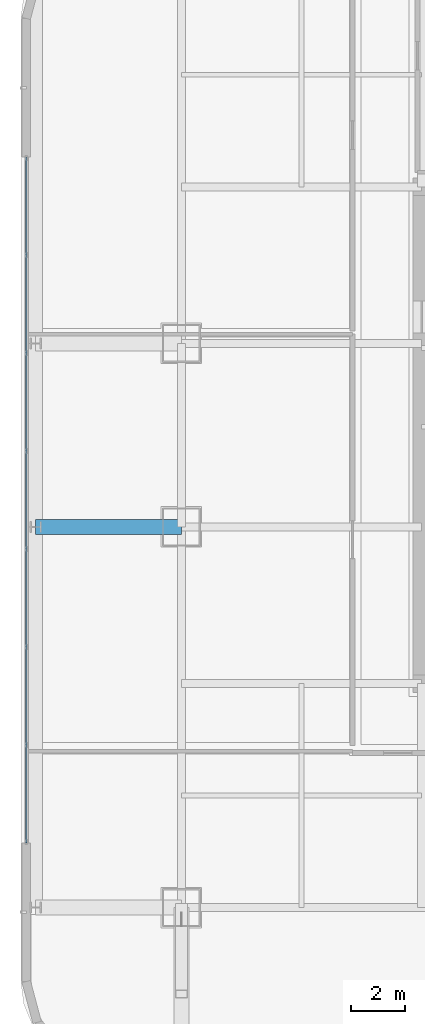
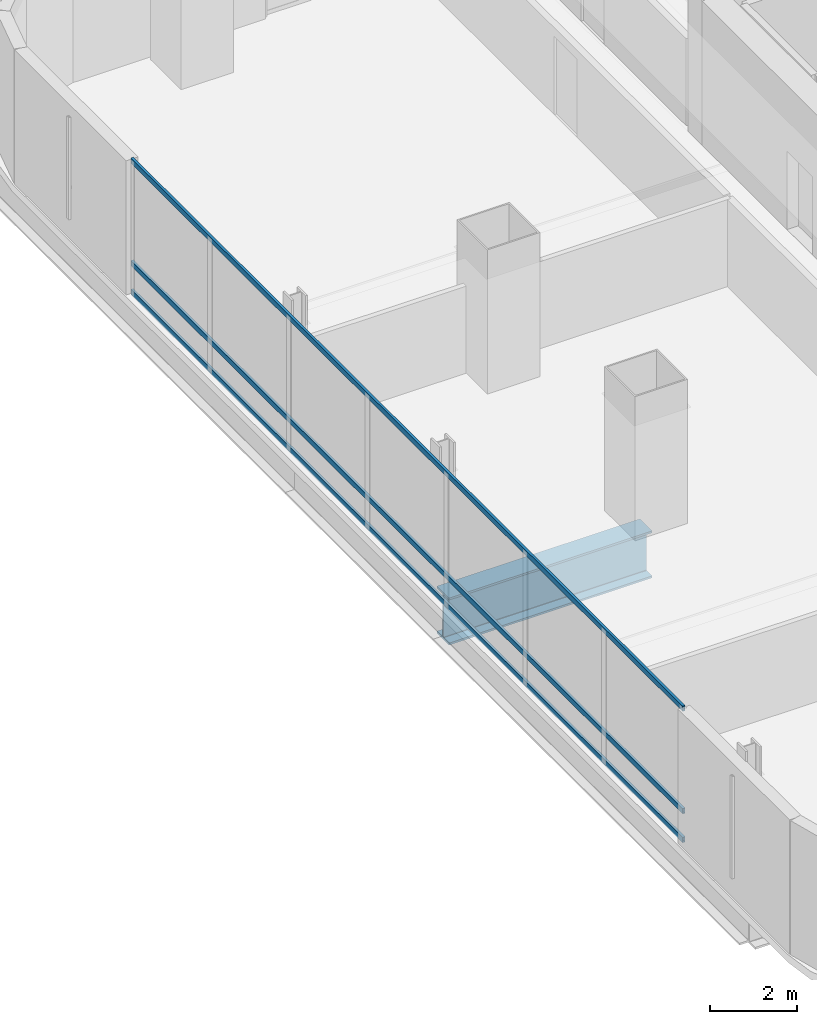
# One storey, part 9 of 46: 3 members, 1 beam, 1 element without a shape of its own.
"""IFC4 building model written with IfcOpenShell, lengths in metres."""

import ifcopenshell
import ifcopenshell.guid

model = None  # the IFC model being written
_history = None  # IfcOwnerHistory: only IFC2X3 demands one
_inside = {}  # id of a spatial element -> (the spatial element, [elements in it])
_under = {}  # id of a project, library or spatial element -> (it, [spatial elements below it])
_declared = {}  # id of a project -> (the project, [libraries it declares])
_typed = {}  # id of a type object -> (the type object, [elements of that type])
_made_of = {}  # id of a material, layer set ... -> (it, [elements and type objects made of it])


def new_model(schema):
    """Start an empty IFC model of exactly this schema.

    Asked for "IFC4X3", IfcOpenShell would pick the latest addendum, in which some entities
    have other attributes; the version numbers below select the first issue.
    IFC2X3 requires an IfcOwnerHistory on every rooted entity: one is made here for all.
    """
    global model, _history
    if schema == "IFC4X3":
        model = ifcopenshell.file(schema_version=(4, 3, 0, 0))
    else:
        model = ifcopenshell.file(schema=schema)
    _inside.clear()
    _under.clear()
    _declared.clear()
    _typed.clear()
    _made_of.clear()
    _history = None
    if model.schema == "IFC2X3":
        org = make("IfcOrganization", Name="unknown")
        user = make(
            "IfcPersonAndOrganization",
            ThePerson=make("IfcPerson", FamilyName="unknown"),
            TheOrganization=org,
        )
        app = make(
            "IfcApplication",
            ApplicationDeveloper=org,
            Version="unknown",
            ApplicationFullName="unknown",
            ApplicationIdentifier="unknown",
        )
        _history = make(
            "IfcOwnerHistory",
            OwningUser=user,
            OwningApplication=app,
            ChangeAction="ADDED",
            CreationDate=0,
        )
    return model


def make(cls, **values):
    """One entity of the class cls with the attributes given. An attribute that is None is left unset."""
    return model.create_entity(
        cls, **{name: value for name, value in values.items() if value is not None}
    )


def rooted(cls, **values):
    """An entity with a GlobalId (a new one), such as an element, a storey or a relation."""
    return make(cls, GlobalId=ifcopenshell.guid.new(), OwnerHistory=_history, **values)


def si_unit(unit_type, name, prefix=None):
    """IfcSIUnit, for example si_unit("LENGTHUNIT", "METRE", prefix="MILLI")."""
    return make("IfcSIUnit", UnitType=unit_type, Prefix=prefix, Name=name)


def assignment(units):
    """IfcUnitAssignment: the units of a project."""
    return None if units is None else make("IfcUnitAssignment", Units=units)


def point(xyz):
    """IfcCartesianPoint."""
    return None if xyz is None else make("IfcCartesianPoint", Coordinates=xyz)


def direction(xyz):
    """IfcDirection."""
    return None if xyz is None else make("IfcDirection", DirectionRatios=xyz)


def frame(location, z_axis=None, x_axis=None):
    """IfcAxis2Placement3D, a coordinate frame: its origin and axes. An axis left out is left unset."""
    return make(
        "IfcAxis2Placement3D",
        Location=point(location),
        Axis=direction(z_axis),
        RefDirection=direction(x_axis),
    )


def frame_2d(location, x_axis=None):
    """IfcAxis2Placement2D, a coordinate frame in the plane: its origin and x axis."""
    return make(
        "IfcAxis2Placement2D", Location=point(location), RefDirection=direction(x_axis)
    )


def origin():
    """The frame at (0, 0, 0) with its axes left unset."""
    return frame((0.0, 0.0, 0.0))


def origin_2d():
    """The frame at (0, 0) in the plane with its x axis left unset."""
    return frame_2d((0.0, 0.0))


def place(relative_to, where):
    """IfcLocalPlacement: puts the frame where relative to a parent placement (None: the world)."""
    return make(
        "IfcLocalPlacement", PlacementRelTo=relative_to, RelativePlacement=where
    )


def context(
    kind, dimensions, precision=None, world=None, true_north=None, identifier=None
):
    """IfcGeometricRepresentationContext, for example the 3D "Model" context."""
    return make(
        "IfcGeometricRepresentationContext",
        ContextIdentifier=identifier,
        ContextType=kind,
        CoordinateSpaceDimension=dimensions,
        Precision=precision,
        WorldCoordinateSystem=world,
        TrueNorth=true_north,
    )


def subcontext(parent, identifier, kind, view, scale=None):
    """IfcGeometricRepresentationSubContext, for example "Body" below "Model"."""
    return make(
        "IfcGeometricRepresentationSubContext",
        ContextIdentifier=identifier,
        ContextType=kind,
        ParentContext=parent,
        TargetScale=scale,
        TargetView=view,
    )


def project(units=None, contexts=None):
    """IfcProject with its units and contexts."""
    return rooted(
        "IfcProject",
        Name="project",
        RepresentationContexts=contexts,
        UnitsInContext=assignment(units),
    )


def spatial(cls, under=None, at=None, **own):
    """A site, building, storey or space (cls), placed at a placement, below another one or the project."""
    s = rooted(cls, ObjectPlacement=at, **own)
    if under is not None:
        _under.setdefault(under.id(), (under, []))[1].append(s)
    return s


def profile(cls, at=None, kind="AREA", **sizes):
    """A parametric profile (cls). Its sizes go by their IFC names, for example OverallWidth=200.0."""
    return make(cls, ProfileType=kind, Position=at, **sizes)


def hollow_rectangle(**sizes):
    """IfcRectangleHollowProfileDef."""
    return profile("IfcRectangleHollowProfileDef", **sizes)


def i_section(**sizes):
    """IfcIShapeProfileDef."""
    return profile("IfcIShapeProfileDef", **sizes)


def extrude(swept, where, along, depth):
    """IfcExtrudedAreaSolid: the profile swept, set in the frame where, extruded along a direction by depth."""
    return make(
        "IfcExtrudedAreaSolid",
        SweptArea=swept,
        Position=where,
        ExtrudedDirection=direction(along),
        Depth=depth,
    )


def shape(context_of_items, identifier, shape_type, items):
    """IfcShapeRepresentation: the items that make up one representation, for example the "Body"."""
    return make(
        "IfcShapeRepresentation",
        ContextOfItems=context_of_items,
        RepresentationIdentifier=identifier,
        RepresentationType=shape_type,
        Items=items,
    )


def material(Name=None, Category=None):
    """IfcMaterial."""
    return make("IfcMaterial", Name=Name, Category=Category)


def material_profile(
    of_material, cross_section, Name=None, Category=None, Priority=None
):
    """IfcMaterialProfile: a cross section and its material."""
    return make(
        "IfcMaterialProfile",
        Name=Name,
        Material=of_material,
        Profile=cross_section,
        Priority=Priority,
        Category=Category,
    )


def profile_set(profiles, Name=None, composite=None):
    """IfcMaterialProfileSet."""
    return make(
        "IfcMaterialProfileSet",
        Name=Name,
        MaterialProfiles=profiles,
        CompositeProfile=composite,
    )


def made_of(thing, what):
    """Note that an element or type object is made of a material, layer set ...; save() writes the relation."""
    if what is not None:
        _made_of.setdefault(what.id(), (what, []))[1].append(thing)
    return thing


def type_object(cls, material=None, **own):
    """A type object (cls), such as IfcWallType, which elements share."""
    return made_of(rooted(cls, **own), material)


def element(
    cls,
    number,
    at=None,
    inside=None,
    cuts=None,
    type_object=None,
    material=None,
    context=None,
    identifier="Body",
    shape_type=None,
    held_by="IfcProductDefinitionShape",
    body=None,
    shapes=None,
    **own,
):
    """One element of the class cls, such as IfcWall. Its Tag is "e" and its number.

    at: its placement. inside: the storey or other place that contains it. cuts: it is an
    opening in that element (IfcRelVoidsElement). A single representation is given by context,
    identifier, shape_type and body (its items); several are given by shapes. held_by: the class
    of the entity that holds the representations. save() writes the other relations.
    """
    e = rooted(cls, Tag="e%d" % number, ObjectPlacement=at, **own)
    if body is not None:
        shapes = [shape(context, identifier, shape_type, body)]
    if shapes is not None:
        e.Representation = make(held_by, Representations=shapes)
    if inside is not None:
        _inside.setdefault(inside.id(), (inside, []))[1].append(e)
    if cuts is not None:
        rooted(
            "IfcRelVoidsElement", RelatingBuildingElement=cuts, RelatedOpeningElement=e
        )
    if type_object is not None:
        _typed.setdefault(type_object.id(), (type_object, []))[1].append(e)
    return made_of(e, material)


def aggregate(whole, parts):
    """IfcRelAggregates: a whole, such as a stair, and the parts it consists of."""
    return rooted("IfcRelAggregates", RelatingObject=whole, RelatedObjects=parts)


def save(model, path):
    """Write the relations noted so far, then the file.

    IfcRelAggregates (storeys below a building ...), IfcRelContainedInSpatialStructure (elements
    in a storey), IfcRelDefinesByType, IfcRelAssociatesMaterial and IfcRelDeclares: one each for
    every whole, place, type object, material and project.
    """
    for whole, parts in _under.values():
        aggregate(whole, parts)
    for where, things in _inside.values():
        rooted(
            "IfcRelContainedInSpatialStructure",
            RelatedElements=things,
            RelatingStructure=where,
        )
    for kind, things in _typed.values():
        rooted("IfcRelDefinesByType", RelatedObjects=things, RelatingType=kind)
    for what, things in _made_of.values():
        rooted("IfcRelAssociatesMaterial", RelatedObjects=things, RelatingMaterial=what)
    for by, libraries in _declared.values():
        rooted("IfcRelDeclares", RelatingContext=by, RelatedDefinitions=libraries)
    model.write(path)


model = new_model("IFC4")

# Units and contexts
model_context = context("Model", 3, precision=1e-05, world=origin(), true_north=direction((0.0, 1.0)))
body_context = subcontext(model_context, "Body", "Model", "MODEL_VIEW")
ifc_project = project(units=[si_unit("LENGTHUNIT", "METRE"), si_unit("AREAUNIT", "SQUARE_METRE"), si_unit("VOLUMEUNIT", "CUBIC_METRE"), si_unit("PLANEANGLEUNIT", "RADIAN"), si_unit("MASSUNIT", "GRAM", prefix="KILO")], contexts=[model_context])

# Site, building, storey
site_placement = place(None, origin())
site = spatial("IfcSite", under=ifc_project, at=site_placement, CompositionType="ELEMENT")
building_placement = place(site_placement, origin())
building = spatial("IfcBuilding", under=site, at=building_placement, Name="Punatoya Terracotta Tower", CompositionType="ELEMENT")
storey_placement = place(building_placement, frame((0.0, 0.0, 200.550048828125)))
storey = spatial("IfcBuildingStorey", under=building, at=storey_placement, Name="L47", CompositionType="ELEMENT", Elevation=200.550048828125)

# Beam
ifc_material_1 = material(Name="Steel S460", Category="steel")
ifc_material_profile_1 = material_profile(ifc_material_1, i_section(OverallWidth=0.56005859375, OverallDepth=1.320068359375, WebThickness=0.035888671875, FlangeThickness=0.054931640625, FilletRadius=0.01806640625, at=origin_2d()))
ifc_profile_set_1 = profile_set([ifc_material_profile_1], Name="Steel S460")
beam_type = type_object("IfcBeamType", Name="BM-TG-BLK", PredefinedType="BEAM", material=ifc_profile_set_1)
beam_placement = place(storey_placement, frame((-24.5, -3.39990234375, -0.880126953125), z_axis=(1.0, 0.0, 0.0), x_axis=(0.0, 1.0, 0.0)))
element("IfcBeam", 1, at=beam_placement, inside=storey, type_object=beam_type, Name="BM-L47-CANT-W2", PredefinedType="BEAM", context=body_context, shape_type="SweptSolid", body=[
    extrude(i_section(OverallWidth=0.56005859375, OverallDepth=1.320068359375, WebThickness=0.035888671875, FlangeThickness=0.054931640625, FilletRadius=0.01806640625, at=origin_2d()), origin(), (0.0, 0.0, 1.0), 5.39990234375),
])

# Curtain wall, members
ifc_material_2 = material(Name="Aluminium 6063-T6 + Double Low-E Glass", Category="aluminium")
curtain_wall_type = type_object("IfcCurtainWallType", Name="CW-M2", PredefinedType="NOTDEFINED", material=ifc_material_2)
curtain_wall_placement = place(storey_placement, origin())
curtain_wall = element("IfcCurtainWall", 2, at=curtain_wall_placement, inside=storey, type_object=curtain_wall_type, Name="L47 Curtain Wall CW-L47-W13-1", PredefinedType="NOTDEFINED")
ifc_material_3 = material(Name="Aluminium 6063-T6", Category="aluminium")
ifc_material_profile_2 = material_profile(ifc_material_3, hollow_rectangle(XDim=0.068115234375, YDim=0.14990234375, WallThickness=0.00390625, at=origin_2d()))
ifc_profile_set_2 = profile_set([ifc_material_profile_2], Name="Aluminium 6063-T6")
member_type = type_object("IfcMemberType", Name="CW-TRN-TYP", PredefinedType="USERDEFINED", material=ifc_profile_set_2)
member_1_placement = place(storey_placement, frame((-24.85009765625, 10.300048828125, 0.0400390625), z_axis=(0.0, -1.0, 0.0), x_axis=(1.0, 0.0, 0.0)))
member_1 = element("IfcMember", 3, at=member_1_placement, type_object=member_type, Name="CW-L47-W13-1 Transom 1", ObjectType="TRANSOM", PredefinedType="USERDEFINED", context=body_context, shape_type="SweptSolid", body=[
    extrude(hollow_rectangle(XDim=0.068115234375, YDim=0.14990234375, WallThickness=0.00390625, at=origin_2d()), origin(), (0.0, 0.0, 1.0), 25.400146484375),
])
member_2_placement = place(storey_placement, frame((-24.85009765625, 10.300048828125, 0.849853515625), z_axis=(0.0, -1.0, 0.0), x_axis=(1.0, 0.0, 0.0)))
member_2 = element("IfcMember", 4, at=member_2_placement, type_object=member_type, Name="CW-L47-W13-1 Transom 2", ObjectType="TRANSOM", PredefinedType="USERDEFINED", context=body_context, shape_type="SweptSolid", body=[
    extrude(hollow_rectangle(XDim=0.068115234375, YDim=0.14990234375, WallThickness=0.00390625, at=origin_2d()), origin(), (0.0, 0.0, 1.0), 25.400146484375),
])
member_3_placement = place(storey_placement, frame((-24.85009765625, 10.300048828125, 3.72998046875), z_axis=(0.0, -1.0, 0.0), x_axis=(1.0, 0.0, 0.0)))
member_3 = element("IfcMember", 5, at=member_3_placement, type_object=member_type, Name="CW-L47-W13-1 Transom 3", ObjectType="TRANSOM", PredefinedType="USERDEFINED", context=body_context, shape_type="SweptSolid", body=[
    extrude(hollow_rectangle(XDim=0.068115234375, YDim=0.14990234375, WallThickness=0.00390625, at=origin_2d()), origin(), (0.0, 0.0, 1.0), 25.400146484375),
])
aggregate(curtain_wall, [member_1, member_2, member_3])

save(model, "model.ifc")
